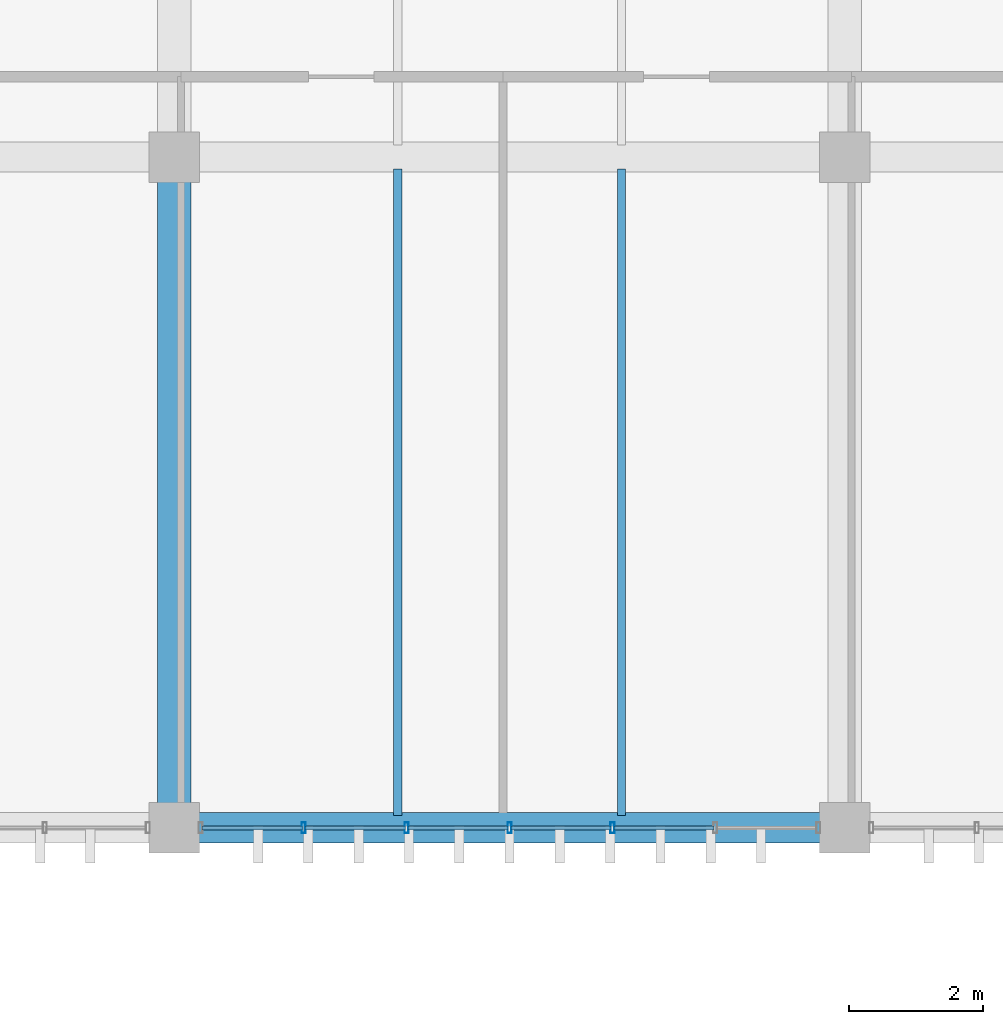
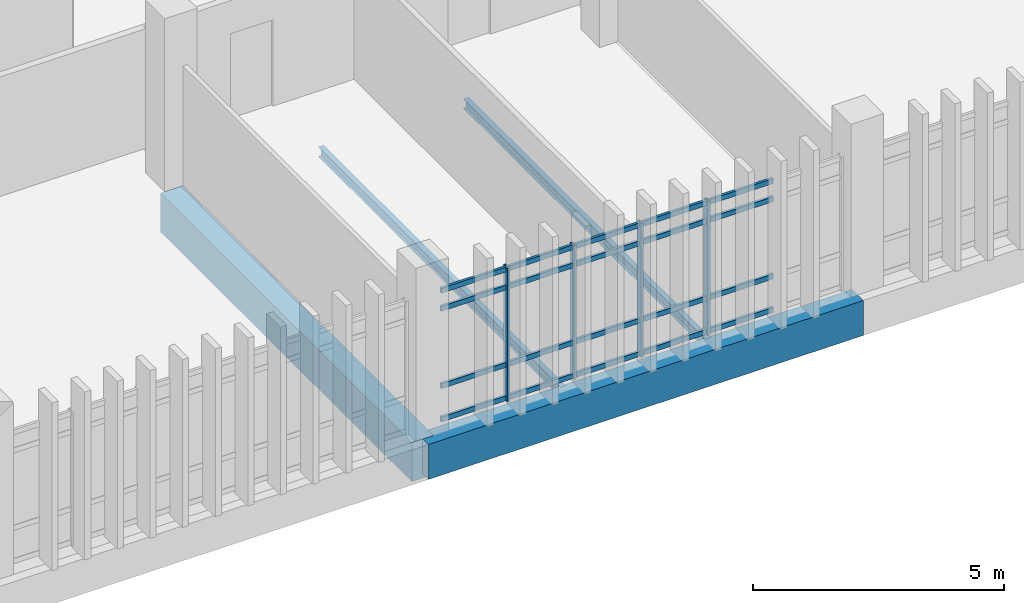
# One storey, part 44 of 111: 24 members, 4 beams, 1 element without a shape of its own.
"""IFC4 building model written with IfcOpenShell, lengths in metres."""

from ifc_helpers import new_model, si_unit, direction, frame, origin, origin_2d, place, context, subcontext, project, spatial, rectangle, hollow_rectangle, i_section, extrude, material, layer, layer_set, material_profile, profile_set, type_object, element, aggregate, save


model = new_model("IFC4")

# Units and contexts
model_context = context("Model", 3, precision=1e-05, world=origin(), true_north=direction((0.0, 1.0)))
body_context = subcontext(model_context, "Body", "Model", "MODEL_VIEW")
ifc_project = project(units=[si_unit("LENGTHUNIT", "METRE"), si_unit("AREAUNIT", "SQUARE_METRE"), si_unit("VOLUMEUNIT", "CUBIC_METRE"), si_unit("PLANEANGLEUNIT", "RADIAN"), si_unit("MASSUNIT", "GRAM", prefix="KILO")], contexts=[model_context])

# Site, building, storey
site_placement = place(None, origin())
site = spatial("IfcSite", under=ifc_project, at=site_placement, CompositionType="ELEMENT")
building_placement = place(site_placement, origin())
building = spatial("IfcBuilding", under=site, at=building_placement, Name="Mersad Railyard Sports Hall", CompositionType="ELEMENT")
storey_placement = place(building_placement, frame((0.0, 0.0, 9.0)))
storey = spatial("IfcBuildingStorey", under=building, at=storey_placement, Name="L02", CompositionType="ELEMENT", Elevation=9.0)

# Curtain wall, members
ifc_material_1 = material(Name="Aluminium 6063-T6", Category="aluminium")
ifc_layer = layer(ifc_material_1, 0.159912109375)
ifc_layer_set = layer_set([ifc_layer], Name="Aluminium 6063-T6")
curtain_wall_type = type_object("IfcCurtainWallType", Name="ARC-CW-CW55", PredefinedType="USERDEFINED", material=ifc_layer_set)
curtain_wall_placement = place(storey_placement, origin())
curtain_wall = element("IfcCurtainWall", 1, at=curtain_wall_placement, inside=storey, type_object=curtain_wall_type, Name="Curtain wall CW55-0149", ObjectType="CURTAIN WALL", PredefinedType="USERDEFINED")
ifc_material_profile_1 = material_profile(ifc_material_1, hollow_rectangle(XDim=0.06005859375, YDim=0.159912109375, WallThickness=0.00390625, at=origin_2d()), Name="AL MULLION 60x160x4")
ifc_profile_set_1 = profile_set([ifc_material_profile_1], Name="Aluminium 6063-T6")
member_type_1 = type_object("IfcMemberType", Name="ARC-CW-MUL01", PredefinedType="MULLION", material=ifc_profile_set_1)
member_1_placement = place(storey_placement, frame((117.534912109375, 85.0, -0.02001953125), z_axis=(0.0, 0.0, 1.0), x_axis=(1.0, 0.0, 0.0)))
member_1 = element("IfcMember", 2, at=member_1_placement, type_object=member_type_1, Name="CW55 Mullion 3", PredefinedType="MULLION", context=body_context, shape_type="SweptSolid", body=[
    extrude(hollow_rectangle(XDim=0.06005859375, YDim=0.159912109375, WallThickness=0.00390625, at=origin_2d()), origin(), (0.0, 0.0, 1.0), 3.25),
])
member_2_placement = place(storey_placement, frame((116.0, 85.0, -0.02001953125), z_axis=(0.0, 0.0, 1.0), x_axis=(1.0, 0.0, 0.0)))
member_2 = element("IfcMember", 3, at=member_2_placement, type_object=member_type_1, Name="CW55 Mullion 4", PredefinedType="MULLION", context=body_context, shape_type="SweptSolid", body=[
    extrude(hollow_rectangle(XDim=0.06005859375, YDim=0.159912109375, WallThickness=0.00390625, at=origin_2d()), origin(), (0.0, 0.0, 1.0), 3.25),
])
member_3_placement = place(storey_placement, frame((114.465087890625, 85.0, -0.02001953125), z_axis=(0.0, 0.0, 1.0), x_axis=(1.0, 0.0, 0.0)))
member_3 = element("IfcMember", 4, at=member_3_placement, type_object=member_type_1, Name="CW55 Mullion 5", PredefinedType="MULLION", context=body_context, shape_type="SweptSolid", body=[
    extrude(hollow_rectangle(XDim=0.06005859375, YDim=0.159912109375, WallThickness=0.00390625, at=origin_2d()), origin(), (0.0, 0.0, 1.0), 3.25),
])
member_4_placement = place(storey_placement, frame((112.929931640625, 85.0, -0.02001953125), z_axis=(0.0, 0.0, 1.0), x_axis=(1.0, 0.0, 0.0)))
member_4 = element("IfcMember", 5, at=member_4_placement, type_object=member_type_1, Name="CW55 Mullion 6", PredefinedType="MULLION", context=body_context, shape_type="SweptSolid", body=[
    extrude(hollow_rectangle(XDim=0.06005859375, YDim=0.159912109375, WallThickness=0.00390625, at=origin_2d()), origin(), (0.0, 0.0, 1.0), 3.25),
])
ifc_material_profile_2 = material_profile(ifc_material_1, hollow_rectangle(XDim=0.06005859375, YDim=0.1201171875, WallThickness=0.00390625, at=origin_2d()), Name="AL TRANSOM 60x120x4")
ifc_profile_set_2 = profile_set([ifc_material_profile_2], Name="Aluminium 6063-T6")
member_type_2 = type_object("IfcMemberType", Name="ARC-CW-TRN01", PredefinedType="USERDEFINED", material=ifc_profile_set_2)
member_5_placement = place(storey_placement, frame((119.050048828125, 85.0, 0.0400390625), z_axis=(-1.0, 0.0, 0.0), x_axis=(0.0, -1.0, 0.0)))
member_5 = element("IfcMember", 6, at=member_5_placement, type_object=member_type_2, Name="CW55 Transom 1-2", ObjectType="TRANSOM", PredefinedType="USERDEFINED", context=body_context, shape_type="SweptSolid", body=[
    extrude(hollow_rectangle(XDim=0.06005859375, YDim=0.1201171875, WallThickness=0.00390625, at=origin_2d()), origin(), (0.0, 0.0, 1.0), 1.4951171875),
])
member_6_placement = place(storey_placement, frame((117.514892578125, 85.0, 0.0400390625), z_axis=(-1.0, 0.0, 0.0), x_axis=(0.0, -1.0, 0.0)))
member_6 = element("IfcMember", 7, at=member_6_placement, type_object=member_type_2, Name="CW55 Transom 1-3", ObjectType="TRANSOM", PredefinedType="USERDEFINED", context=body_context, shape_type="SweptSolid", body=[
    extrude(hollow_rectangle(XDim=0.06005859375, YDim=0.1201171875, WallThickness=0.00390625, at=origin_2d()), origin(), (0.0, 0.0, 1.0), 1.494873046875),
])
member_7_placement = place(storey_placement, frame((115.97998046875, 85.0, 0.0400390625), z_axis=(-1.0, 0.0, 0.0), x_axis=(0.0, -1.0, 0.0)))
member_7 = element("IfcMember", 8, at=member_7_placement, type_object=member_type_2, Name="CW55 Transom 1-4", ObjectType="TRANSOM", PredefinedType="USERDEFINED", context=body_context, shape_type="SweptSolid", body=[
    extrude(hollow_rectangle(XDim=0.06005859375, YDim=0.1201171875, WallThickness=0.00390625, at=origin_2d()), origin(), (0.0, 0.0, 1.0), 1.494873046875),
])
member_8_placement = place(storey_placement, frame((114.445068359375, 85.0, 0.0400390625), z_axis=(-1.0, 0.0, 0.0), x_axis=(0.0, -1.0, 0.0)))
member_8 = element("IfcMember", 9, at=member_8_placement, type_object=member_type_2, Name="CW55 Transom 1-5", ObjectType="TRANSOM", PredefinedType="USERDEFINED", context=body_context, shape_type="SweptSolid", body=[
    extrude(hollow_rectangle(XDim=0.06005859375, YDim=0.1201171875, WallThickness=0.00390625, at=origin_2d()), origin(), (0.0, 0.0, 1.0), 1.4951171875),
])
member_9_placement = place(storey_placement, frame((112.909912109375, 85.0, 0.0400390625), z_axis=(-1.0, 0.0, 0.0), x_axis=(0.0, -1.0, 0.0)))
member_9 = element("IfcMember", 10, at=member_9_placement, type_object=member_type_2, Name="CW55 Transom 1-6", ObjectType="TRANSOM", PredefinedType="USERDEFINED", context=body_context, shape_type="SweptSolid", body=[
    extrude(hollow_rectangle(XDim=0.06005859375, YDim=0.1201171875, WallThickness=0.00390625, at=origin_2d()), origin(), (0.0, 0.0, 1.0), 1.494873046875),
])
member_10_placement = place(storey_placement, frame((119.050048828125, 85.0, 0.85009765625), z_axis=(-1.0, 0.0, 0.0), x_axis=(0.0, -1.0, 0.0)))
member_10 = element("IfcMember", 11, at=member_10_placement, type_object=member_type_2, Name="CW55 Transom 2-2", ObjectType="TRANSOM", PredefinedType="USERDEFINED", context=body_context, shape_type="SweptSolid", body=[
    extrude(hollow_rectangle(XDim=0.06005859375, YDim=0.1201171875, WallThickness=0.00390625, at=origin_2d()), origin(), (0.0, 0.0, 1.0), 1.4951171875),
])
member_11_placement = place(storey_placement, frame((117.514892578125, 85.0, 0.85009765625), z_axis=(-1.0, 0.0, 0.0), x_axis=(0.0, -1.0, 0.0)))
member_11 = element("IfcMember", 12, at=member_11_placement, type_object=member_type_2, Name="CW55 Transom 2-3", ObjectType="TRANSOM", PredefinedType="USERDEFINED", context=body_context, shape_type="SweptSolid", body=[
    extrude(hollow_rectangle(XDim=0.06005859375, YDim=0.1201171875, WallThickness=0.00390625, at=origin_2d()), origin(), (0.0, 0.0, 1.0), 1.494873046875),
])
member_12_placement = place(storey_placement, frame((115.97998046875, 85.0, 0.85009765625), z_axis=(-1.0, 0.0, 0.0), x_axis=(0.0, -1.0, 0.0)))
member_12 = element("IfcMember", 13, at=member_12_placement, type_object=member_type_2, Name="CW55 Transom 2-4", ObjectType="TRANSOM", PredefinedType="USERDEFINED", context=body_context, shape_type="SweptSolid", body=[
    extrude(hollow_rectangle(XDim=0.06005859375, YDim=0.1201171875, WallThickness=0.00390625, at=origin_2d()), origin(), (0.0, 0.0, 1.0), 1.494873046875),
])
member_13_placement = place(storey_placement, frame((114.445068359375, 85.0, 0.85009765625), z_axis=(-1.0, 0.0, 0.0), x_axis=(0.0, -1.0, 0.0)))
member_13 = element("IfcMember", 14, at=member_13_placement, type_object=member_type_2, Name="CW55 Transom 2-5", ObjectType="TRANSOM", PredefinedType="USERDEFINED", context=body_context, shape_type="SweptSolid", body=[
    extrude(hollow_rectangle(XDim=0.06005859375, YDim=0.1201171875, WallThickness=0.00390625, at=origin_2d()), origin(), (0.0, 0.0, 1.0), 1.4951171875),
])
member_14_placement = place(storey_placement, frame((112.909912109375, 85.0, 0.85009765625), z_axis=(-1.0, 0.0, 0.0), x_axis=(0.0, -1.0, 0.0)))
member_14 = element("IfcMember", 15, at=member_14_placement, type_object=member_type_2, Name="CW55 Transom 2-6", ObjectType="TRANSOM", PredefinedType="USERDEFINED", context=body_context, shape_type="SweptSolid", body=[
    extrude(hollow_rectangle(XDim=0.06005859375, YDim=0.1201171875, WallThickness=0.00390625, at=origin_2d()), origin(), (0.0, 0.0, 1.0), 1.494873046875),
])
member_15_placement = place(storey_placement, frame((119.050048828125, 85.0, 2.72998046875), z_axis=(-1.0, 0.0, 0.0), x_axis=(0.0, -1.0, 0.0)))
member_15 = element("IfcMember", 16, at=member_15_placement, type_object=member_type_2, Name="CW55 Transom 3-2", ObjectType="TRANSOM", PredefinedType="USERDEFINED", context=body_context, shape_type="SweptSolid", body=[
    extrude(hollow_rectangle(XDim=0.06005859375, YDim=0.1201171875, WallThickness=0.00390625, at=origin_2d()), origin(), (0.0, 0.0, 1.0), 1.4951171875),
])
member_16_placement = place(storey_placement, frame((117.514892578125, 85.0, 2.72998046875), z_axis=(-1.0, 0.0, 0.0), x_axis=(0.0, -1.0, 0.0)))
member_16 = element("IfcMember", 17, at=member_16_placement, type_object=member_type_2, Name="CW55 Transom 3-3", ObjectType="TRANSOM", PredefinedType="USERDEFINED", context=body_context, shape_type="SweptSolid", body=[
    extrude(hollow_rectangle(XDim=0.06005859375, YDim=0.1201171875, WallThickness=0.00390625, at=origin_2d()), origin(), (0.0, 0.0, 1.0), 1.494873046875),
])
member_17_placement = place(storey_placement, frame((115.97998046875, 85.0, 2.72998046875), z_axis=(-1.0, 0.0, 0.0), x_axis=(0.0, -1.0, 0.0)))
member_17 = element("IfcMember", 18, at=member_17_placement, type_object=member_type_2, Name="CW55 Transom 3-4", ObjectType="TRANSOM", PredefinedType="USERDEFINED", context=body_context, shape_type="SweptSolid", body=[
    extrude(hollow_rectangle(XDim=0.06005859375, YDim=0.1201171875, WallThickness=0.00390625, at=origin_2d()), origin(), (0.0, 0.0, 1.0), 1.494873046875),
])
member_18_placement = place(storey_placement, frame((114.445068359375, 85.0, 2.72998046875), z_axis=(-1.0, 0.0, 0.0), x_axis=(0.0, -1.0, 0.0)))
member_18 = element("IfcMember", 19, at=member_18_placement, type_object=member_type_2, Name="CW55 Transom 3-5", ObjectType="TRANSOM", PredefinedType="USERDEFINED", context=body_context, shape_type="SweptSolid", body=[
    extrude(hollow_rectangle(XDim=0.06005859375, YDim=0.1201171875, WallThickness=0.00390625, at=origin_2d()), origin(), (0.0, 0.0, 1.0), 1.4951171875),
])
member_19_placement = place(storey_placement, frame((112.909912109375, 85.0, 2.72998046875), z_axis=(-1.0, 0.0, 0.0), x_axis=(0.0, -1.0, 0.0)))
member_19 = element("IfcMember", 20, at=member_19_placement, type_object=member_type_2, Name="CW55 Transom 3-6", ObjectType="TRANSOM", PredefinedType="USERDEFINED", context=body_context, shape_type="SweptSolid", body=[
    extrude(hollow_rectangle(XDim=0.06005859375, YDim=0.1201171875, WallThickness=0.00390625, at=origin_2d()), origin(), (0.0, 0.0, 1.0), 1.494873046875),
])
member_20_placement = place(storey_placement, frame((119.050048828125, 85.0, 3.169921875), z_axis=(-1.0, 0.0, 0.0), x_axis=(0.0, -1.0, 0.0)))
member_20 = element("IfcMember", 21, at=member_20_placement, type_object=member_type_2, Name="CW55 Transom 4-2", ObjectType="TRANSOM", PredefinedType="USERDEFINED", context=body_context, shape_type="SweptSolid", body=[
    extrude(hollow_rectangle(XDim=0.06005859375, YDim=0.1201171875, WallThickness=0.00390625, at=origin_2d()), origin(), (0.0, 0.0, 1.0), 1.4951171875),
])
member_21_placement = place(storey_placement, frame((117.514892578125, 85.0, 3.169921875), z_axis=(-1.0, 0.0, 0.0), x_axis=(0.0, -1.0, 0.0)))
member_21 = element("IfcMember", 22, at=member_21_placement, type_object=member_type_2, Name="CW55 Transom 4-3", ObjectType="TRANSOM", PredefinedType="USERDEFINED", context=body_context, shape_type="SweptSolid", body=[
    extrude(hollow_rectangle(XDim=0.06005859375, YDim=0.1201171875, WallThickness=0.00390625, at=origin_2d()), origin(), (0.0, 0.0, 1.0), 1.494873046875),
])
member_22_placement = place(storey_placement, frame((115.97998046875, 85.0, 3.169921875), z_axis=(-1.0, 0.0, 0.0), x_axis=(0.0, -1.0, 0.0)))
member_22 = element("IfcMember", 23, at=member_22_placement, type_object=member_type_2, Name="CW55 Transom 4-4", ObjectType="TRANSOM", PredefinedType="USERDEFINED", context=body_context, shape_type="SweptSolid", body=[
    extrude(hollow_rectangle(XDim=0.06005859375, YDim=0.1201171875, WallThickness=0.00390625, at=origin_2d()), origin(), (0.0, 0.0, 1.0), 1.494873046875),
])
member_23_placement = place(storey_placement, frame((114.445068359375, 85.0, 3.169921875), z_axis=(-1.0, 0.0, 0.0), x_axis=(0.0, -1.0, 0.0)))
member_23 = element("IfcMember", 24, at=member_23_placement, type_object=member_type_2, Name="CW55 Transom 4-5", ObjectType="TRANSOM", PredefinedType="USERDEFINED", context=body_context, shape_type="SweptSolid", body=[
    extrude(hollow_rectangle(XDim=0.06005859375, YDim=0.1201171875, WallThickness=0.00390625, at=origin_2d()), origin(), (0.0, 0.0, 1.0), 1.4951171875),
])
member_24_placement = place(storey_placement, frame((112.909912109375, 85.0, 3.169921875), z_axis=(-1.0, 0.0, 0.0), x_axis=(0.0, -1.0, 0.0)))
member_24 = element("IfcMember", 25, at=member_24_placement, type_object=member_type_2, Name="CW55 Transom 4-6", ObjectType="TRANSOM", PredefinedType="USERDEFINED", context=body_context, shape_type="SweptSolid", body=[
    extrude(hollow_rectangle(XDim=0.06005859375, YDim=0.1201171875, WallThickness=0.00390625, at=origin_2d()), origin(), (0.0, 0.0, 1.0), 1.494873046875),
])
aggregate(curtain_wall, [member_1, member_2, member_3, member_4, member_5, member_6, member_7, member_8, member_9, member_10, member_11, member_12, member_13, member_14, member_15, member_16, member_17, member_18, member_19, member_20, member_21, member_22, member_23, member_24])

# Beams
ifc_material_2 = material(Name="Concrete C40/50", Category="concrete")
ifc_material_profile_3 = material_profile(ifc_material_2, rectangle(XDim=0.449951171875, YDim=0.85009765625, at=origin_2d()), Name="RC 450x850")
ifc_profile_set_3 = profile_set([ifc_material_profile_3], Name="Concrete C40/50")
beam_type_1 = type_object("IfcBeamType", Name="STR-BM-B02", PredefinedType="BEAM", material=ifc_profile_set_3)
beam_1_placement = place(storey_placement, frame((111.0, 85.0, -0.72509765625), z_axis=(1.0, 0.0, 0.0), x_axis=(0.0, 1.0, 0.0)))
element("IfcBeam", 26, at=beam_1_placement, inside=storey, type_object=beam_type_1, Name="Beam B02-1071", PredefinedType="BEAM", context=body_context, shape_type="SweptSolid", body=[
    extrude(rectangle(XDim=0.449951171875, YDim=0.85009765625, at=origin_2d()), origin(), (0.0, 0.0, 1.0), 10.0),
])
ifc_material_3 = material(Name="Concrete C50/60", Category="concrete")
ifc_material_profile_4 = material_profile(ifc_material_3, rectangle(XDim=0.5, YDim=0.949951171875, at=origin_2d()), Name="RC 500x950")
ifc_profile_set_4 = profile_set([ifc_material_profile_4], Name="Concrete C50/60")
beam_type_2 = type_object("IfcBeamType", Name="STR-BM-B03", PredefinedType="BEAM", material=ifc_profile_set_4)
beam_2_placement = place(storey_placement, frame((111.0, 85.0, -0.77490234375), z_axis=(0.0, 1.0, 0.0), x_axis=(-1.0, 0.0, 0.0)))
element("IfcBeam", 27, at=beam_2_placement, inside=storey, type_object=beam_type_2, Name="Beam B03-1115", PredefinedType="BEAM", context=body_context, shape_type="SweptSolid", body=[
    extrude(rectangle(XDim=0.5, YDim=0.949951171875, at=origin_2d()), origin(), (0.0, 0.0, 1.0), 10.0),
])
ifc_material_4 = material(Name="Steel S355", Category="steel")
ifc_material_profile_5 = material_profile(ifc_material_4, i_section(OverallWidth=0.1201171875, OverallDepth=0.239990234375, WebThickness=0.006103515625, FlangeThickness=0.009765625, at=origin_2d()), Name="IPE 240")
ifc_profile_set_5 = profile_set([ifc_material_profile_5], Name="Steel S355")
beam_type_3 = type_object("IfcBeamType", Name="STR-BM-SB03", PredefinedType="BEAM", material=ifc_profile_set_5)
for number, where, z_axis, x_axis, name in (
    (28, (114.3330078125, 85.179931640625, -0.419921875), (0.0, 1.0, 0.0), (-1.0, 0.0, 0.0), "Beam SB03-1182"),
    (29, (117.6669921875, 85.179931640625, -0.419921875), (0.0, 1.0, 0.0), (-1.0, 0.0, 0.0), "Beam SB03-1183"),
):
    element("IfcBeam", number, at=place(storey_placement, frame(where, z_axis=z_axis, x_axis=x_axis)), inside=storey, type_object=beam_type_3, Name=name, PredefinedType="BEAM", context=body_context, shape_type="SweptSolid", body=[
        extrude(i_section(OverallWidth=0.1201171875, OverallDepth=0.239990234375, WebThickness=0.006103515625, FlangeThickness=0.009765625, at=origin_2d()), origin(), (0.0, 0.0, 1.0), 9.64013671875),
    ])

save(model, "model.ifc")
